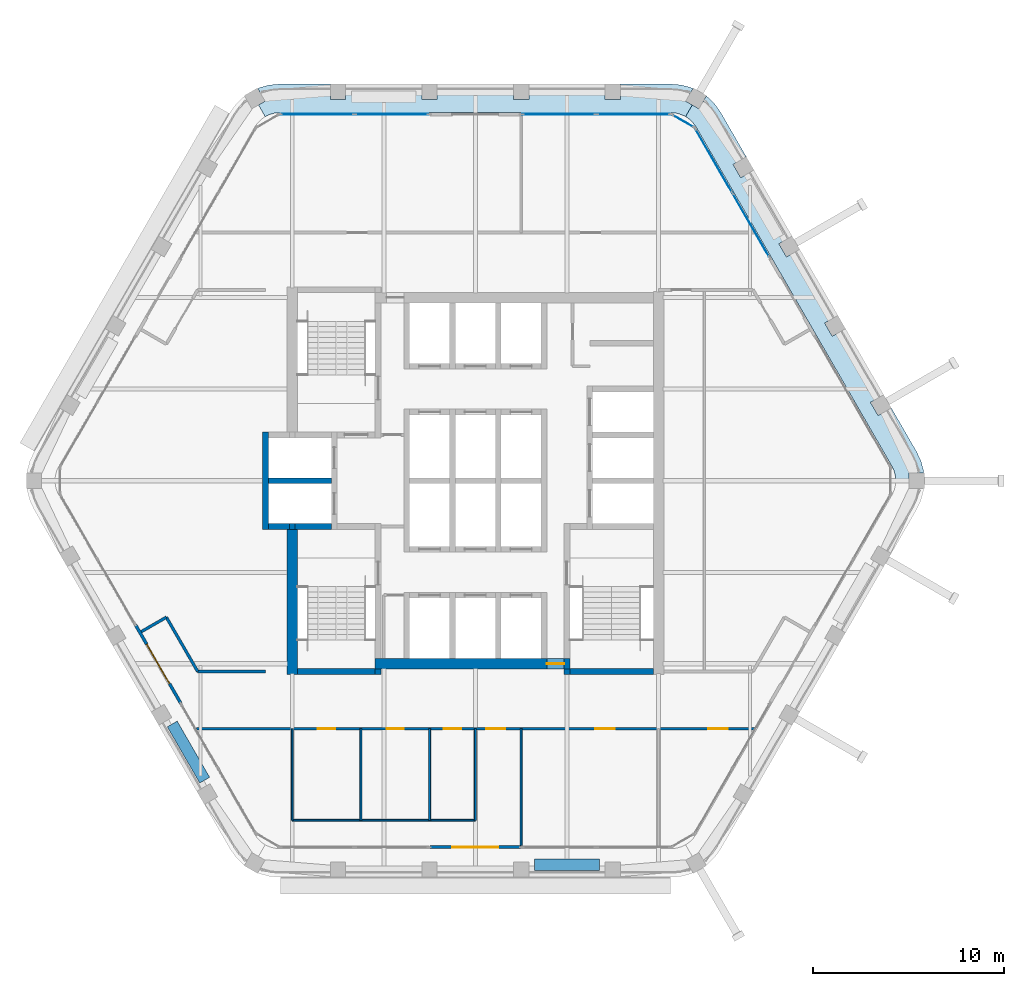
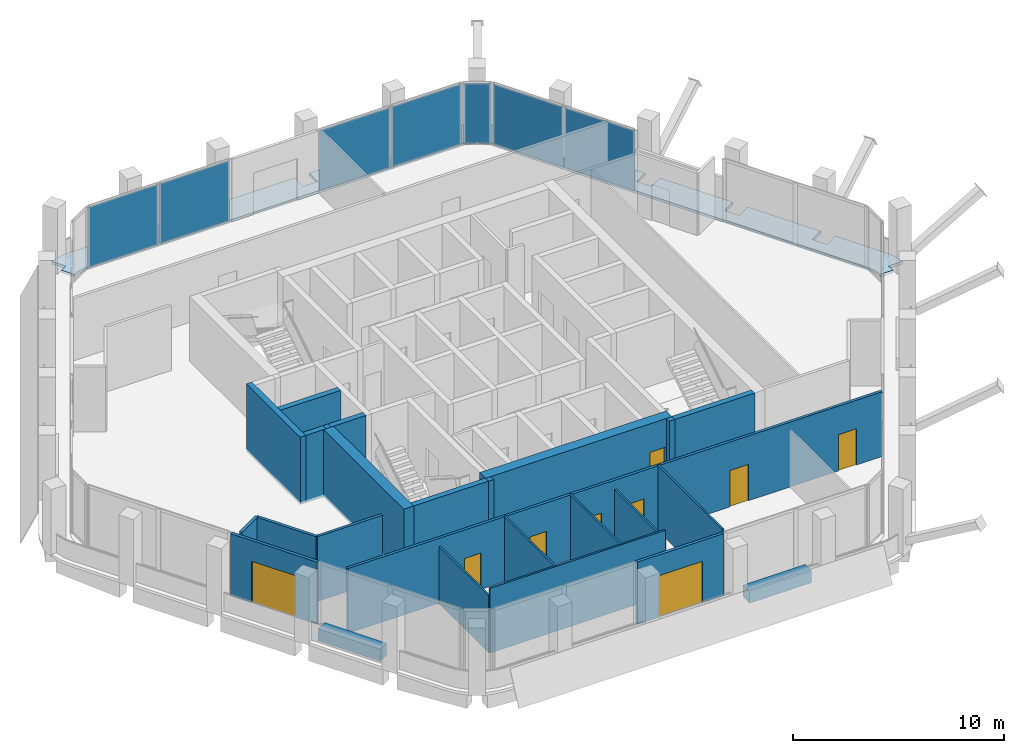
# One storey, part 7 of 14: 25 walls, 9 doors, 7 plates, 2 slabs, 9 openings, 4 elements without a shape of their own.
"""IFC4 building model written with IfcOpenShell, lengths in metres."""

import ifcopenshell
import ifcopenshell.guid

model = None  # the IFC model being written
_history = None  # IfcOwnerHistory: only IFC2X3 demands one
_inside = {}  # id of a spatial element -> (the spatial element, [elements in it])
_under = {}  # id of a project, library or spatial element -> (it, [spatial elements below it])
_declared = {}  # id of a project -> (the project, [libraries it declares])
_typed = {}  # id of a type object -> (the type object, [elements of that type])
_made_of = {}  # id of a material, layer set ... -> (it, [elements and type objects made of it])


def new_model(schema):
    """Start an empty IFC model of exactly this schema.

    Asked for "IFC4X3", IfcOpenShell would pick the latest addendum, in which some entities
    have other attributes; the version numbers below select the first issue.
    IFC2X3 requires an IfcOwnerHistory on every rooted entity: one is made here for all.
    """
    global model, _history
    if schema == "IFC4X3":
        model = ifcopenshell.file(schema_version=(4, 3, 0, 0))
    else:
        model = ifcopenshell.file(schema=schema)
    _inside.clear()
    _under.clear()
    _declared.clear()
    _typed.clear()
    _made_of.clear()
    _history = None
    if model.schema == "IFC2X3":
        org = make("IfcOrganization", Name="unknown")
        user = make(
            "IfcPersonAndOrganization",
            ThePerson=make("IfcPerson", FamilyName="unknown"),
            TheOrganization=org,
        )
        app = make(
            "IfcApplication",
            ApplicationDeveloper=org,
            Version="unknown",
            ApplicationFullName="unknown",
            ApplicationIdentifier="unknown",
        )
        _history = make(
            "IfcOwnerHistory",
            OwningUser=user,
            OwningApplication=app,
            ChangeAction="ADDED",
            CreationDate=0,
        )
    return model


def make(cls, **values):
    """One entity of the class cls with the attributes given. An attribute that is None is left unset."""
    return model.create_entity(
        cls, **{name: value for name, value in values.items() if value is not None}
    )


def rooted(cls, **values):
    """An entity with a GlobalId (a new one), such as an element, a storey or a relation."""
    return make(cls, GlobalId=ifcopenshell.guid.new(), OwnerHistory=_history, **values)


def si_unit(unit_type, name, prefix=None):
    """IfcSIUnit, for example si_unit("LENGTHUNIT", "METRE", prefix="MILLI")."""
    return make("IfcSIUnit", UnitType=unit_type, Prefix=prefix, Name=name)


def assignment(units):
    """IfcUnitAssignment: the units of a project."""
    return None if units is None else make("IfcUnitAssignment", Units=units)


def point(xyz):
    """IfcCartesianPoint."""
    return None if xyz is None else make("IfcCartesianPoint", Coordinates=xyz)


def direction(xyz):
    """IfcDirection."""
    return None if xyz is None else make("IfcDirection", DirectionRatios=xyz)


def frame(location, z_axis=None, x_axis=None):
    """IfcAxis2Placement3D, a coordinate frame: its origin and axes. An axis left out is left unset."""
    return make(
        "IfcAxis2Placement3D",
        Location=point(location),
        Axis=direction(z_axis),
        RefDirection=direction(x_axis),
    )


def frame_2d(location, x_axis=None):
    """IfcAxis2Placement2D, a coordinate frame in the plane: its origin and x axis."""
    return make(
        "IfcAxis2Placement2D", Location=point(location), RefDirection=direction(x_axis)
    )


def origin():
    """The frame at (0, 0, 0) with its axes left unset."""
    return frame((0.0, 0.0, 0.0))


def origin_2d():
    """The frame at (0, 0) in the plane with its x axis left unset."""
    return frame_2d((0.0, 0.0))


def place(relative_to, where):
    """IfcLocalPlacement: puts the frame where relative to a parent placement (None: the world)."""
    return make(
        "IfcLocalPlacement", PlacementRelTo=relative_to, RelativePlacement=where
    )


def context(
    kind, dimensions, precision=None, world=None, true_north=None, identifier=None
):
    """IfcGeometricRepresentationContext, for example the 3D "Model" context."""
    return make(
        "IfcGeometricRepresentationContext",
        ContextIdentifier=identifier,
        ContextType=kind,
        CoordinateSpaceDimension=dimensions,
        Precision=precision,
        WorldCoordinateSystem=world,
        TrueNorth=true_north,
    )


def subcontext(parent, identifier, kind, view, scale=None):
    """IfcGeometricRepresentationSubContext, for example "Body" below "Model"."""
    return make(
        "IfcGeometricRepresentationSubContext",
        ContextIdentifier=identifier,
        ContextType=kind,
        ParentContext=parent,
        TargetScale=scale,
        TargetView=view,
    )


def project(units=None, contexts=None):
    """IfcProject with its units and contexts."""
    return rooted(
        "IfcProject",
        Name="project",
        RepresentationContexts=contexts,
        UnitsInContext=assignment(units),
    )


def spatial(cls, under=None, at=None, **own):
    """A site, building, storey or space (cls), placed at a placement, below another one or the project."""
    s = rooted(cls, ObjectPlacement=at, **own)
    if under is not None:
        _under.setdefault(under.id(), (under, []))[1].append(s)
    return s


def polyline(points):
    """IfcPolyline through the points."""
    return make("IfcPolyline", Points=[point(p) for p in points])


def profile(cls, at=None, kind="AREA", **sizes):
    """A parametric profile (cls). Its sizes go by their IFC names, for example OverallWidth=200.0."""
    return make(cls, ProfileType=kind, Position=at, **sizes)


def rectangle(**sizes):
    """IfcRectangleProfileDef."""
    return profile("IfcRectangleProfileDef", **sizes)


def outline(outer, holes=None, kind="AREA"):
    """IfcArbitraryClosedProfileDef: a profile drawn as a closed curve; with holes, ...WithVoids."""
    if holes is None:
        return make("IfcArbitraryClosedProfileDef", ProfileType=kind, OuterCurve=outer)
    return make(
        "IfcArbitraryProfileDefWithVoids",
        ProfileType=kind,
        OuterCurve=outer,
        InnerCurves=holes,
    )


def extrude(swept, where, along, depth):
    """IfcExtrudedAreaSolid: the profile swept, set in the frame where, extruded along a direction by depth."""
    return make(
        "IfcExtrudedAreaSolid",
        SweptArea=swept,
        Position=where,
        ExtrudedDirection=direction(along),
        Depth=depth,
    )


def shape(context_of_items, identifier, shape_type, items):
    """IfcShapeRepresentation: the items that make up one representation, for example the "Body"."""
    return make(
        "IfcShapeRepresentation",
        ContextOfItems=context_of_items,
        RepresentationIdentifier=identifier,
        RepresentationType=shape_type,
        Items=items,
    )


def material(Name=None, Category=None):
    """IfcMaterial."""
    return make("IfcMaterial", Name=Name, Category=Category)


def layer(
    of_material, thickness, ventilated=None, Name=None, Category=None, Priority=None
):
    """IfcMaterialLayer: one layer of a wall or slab, of a material (None: an air gap)."""
    return make(
        "IfcMaterialLayer",
        Material=of_material,
        LayerThickness=thickness,
        IsVentilated=ventilated,
        Name=Name,
        Category=Category,
        Priority=Priority,
    )


def layer_set(layers, Name=None):
    """IfcMaterialLayerSet."""
    return make("IfcMaterialLayerSet", MaterialLayers=layers, LayerSetName=Name)


def made_of(thing, what):
    """Note that an element or type object is made of a material, layer set ...; save() writes the relation."""
    if what is not None:
        _made_of.setdefault(what.id(), (what, []))[1].append(thing)
    return thing


def type_object(cls, material=None, **own):
    """A type object (cls), such as IfcWallType, which elements share."""
    return made_of(rooted(cls, **own), material)


def element(
    cls,
    number,
    at=None,
    inside=None,
    cuts=None,
    type_object=None,
    material=None,
    context=None,
    identifier="Body",
    shape_type=None,
    held_by="IfcProductDefinitionShape",
    body=None,
    shapes=None,
    **own,
):
    """One element of the class cls, such as IfcWall. Its Tag is "e" and its number.

    at: its placement. inside: the storey or other place that contains it. cuts: it is an
    opening in that element (IfcRelVoidsElement). A single representation is given by context,
    identifier, shape_type and body (its items); several are given by shapes. held_by: the class
    of the entity that holds the representations. save() writes the other relations.
    """
    e = rooted(cls, Tag="e%d" % number, ObjectPlacement=at, **own)
    if body is not None:
        shapes = [shape(context, identifier, shape_type, body)]
    if shapes is not None:
        e.Representation = make(held_by, Representations=shapes)
    if inside is not None:
        _inside.setdefault(inside.id(), (inside, []))[1].append(e)
    if cuts is not None:
        rooted(
            "IfcRelVoidsElement", RelatingBuildingElement=cuts, RelatedOpeningElement=e
        )
    if type_object is not None:
        _typed.setdefault(type_object.id(), (type_object, []))[1].append(e)
    return made_of(e, material)


def fill(opening, filler):
    """IfcRelFillsElement: the door or window that sits in an opening."""
    return rooted(
        "IfcRelFillsElement",
        RelatingOpeningElement=opening,
        RelatedBuildingElement=filler,
    )


def aggregate(whole, parts):
    """IfcRelAggregates: a whole, such as a stair, and the parts it consists of."""
    return rooted("IfcRelAggregates", RelatingObject=whole, RelatedObjects=parts)


def save(model, path):
    """Write the relations noted so far, then the file.

    IfcRelAggregates (storeys below a building ...), IfcRelContainedInSpatialStructure (elements
    in a storey), IfcRelDefinesByType, IfcRelAssociatesMaterial and IfcRelDeclares: one each for
    every whole, place, type object, material and project.
    """
    for whole, parts in _under.values():
        aggregate(whole, parts)
    for where, things in _inside.values():
        rooted(
            "IfcRelContainedInSpatialStructure",
            RelatedElements=things,
            RelatingStructure=where,
        )
    for kind, things in _typed.values():
        rooted("IfcRelDefinesByType", RelatedObjects=things, RelatingType=kind)
    for what, things in _made_of.values():
        rooted("IfcRelAssociatesMaterial", RelatedObjects=things, RelatingMaterial=what)
    for by, libraries in _declared.values():
        rooted("IfcRelDeclares", RelatingContext=by, RelatedDefinitions=libraries)
    model.write(path)


model = new_model("IFC4")

# Units and contexts
model_context = context("Model", 3, precision=1e-05, world=origin(), true_north=direction((0.0, 1.0)))
body_context = subcontext(model_context, "Body", "Model", "MODEL_VIEW")
ifc_project = project(units=[si_unit("LENGTHUNIT", "METRE"), si_unit("AREAUNIT", "SQUARE_METRE"), si_unit("VOLUMEUNIT", "CUBIC_METRE"), si_unit("PLANEANGLEUNIT", "RADIAN"), si_unit("MASSUNIT", "GRAM", prefix="KILO")], contexts=[model_context])

# Site, building, storey
site_placement = place(None, origin())
site = spatial("IfcSite", under=ifc_project, at=site_placement, CompositionType="ELEMENT")
building_placement = place(site_placement, origin())
building = spatial("IfcBuilding", under=site, at=building_placement, Name="Kolab Exchange Tower", CompositionType="ELEMENT")
storey_placement = place(building_placement, frame((0.0, 0.0, 281.300048828125)))
storey = spatial("IfcBuildingStorey", under=building, at=storey_placement, Name="L63", CompositionType="ELEMENT", Elevation=281.300048828125)

# Slabs
ifc_material_1 = material(Name="Concrete C35/45", Category="concrete")
ifc_layer_1 = layer(ifc_material_1, 0.14990234375)
ifc_layer_set_1 = layer_set([ifc_layer_1], Name="Concrete C35/45")
slab_type = type_object("IfcSlabType", Name="LOGGIA SLAB 150", PredefinedType="FLOOR", material=ifc_layer_set_1)
slab_1_placement = place(storey_placement, frame((0.0, 0.0, -0.150146484375)))
element("IfcSlab", 1, at=slab_1_placement, inside=storey, type_object=slab_type, Name="slab/L63/loggia/0-0", PredefinedType="FLOOR", context=body_context, shape_type="SweptSolid", body=[
    extrude(outline(polyline([(11.01806640625, 19.083740234375), (11.367919921875, 19.68994140625), (11.021484375, 19.889892578125), (11.404052734375, 20.552490234375), (11.2939453125, 20.603759765625), (10.788818359375, 20.739013671875), (10.26806640625, 20.78466796875), (7.60009765625, 20.78466796875), (7.60009765625, 19.984619140625), (6.800048828125, 19.984619140625), (6.800048828125, 20.78466796875), (2.800048828125, 20.78466796875), (2.800048828125, 19.984619140625), (2.0, 19.984619140625), (2.0, 20.78466796875), (-2.0, 20.78466796875), (-2.0, 19.984619140625), (-2.800048828125, 19.984619140625), (-2.800048828125, 20.78466796875), (-6.800048828125, 20.78466796875), (-6.800048828125, 19.984619140625), (-7.60009765625, 19.984619140625), (-7.60009765625, 20.78466796875), (-10.26806640625, 20.78466796875), (-10.788818359375, 20.739013671875), (-11.2939453125, 20.603759765625), (-11.404052734375, 20.552490234375), (-11.021484375, 19.889892578125), (-11.367919921875, 19.68994140625), (-11.01806640625, 19.083740234375), (-10.781005859375, 19.194091796875), (-10.5283203125, 19.26171875), (-10.26806640625, 19.28466796875), (10.26806640625, 19.28466796875), (10.5283203125, 19.26171875), (10.781005859375, 19.194091796875), (11.01806640625, 19.083740234375)])), origin(), (0.0, 0.0, 1.0), 0.150146484375),
])
slab_2_placement = place(storey_placement, frame((0.0, 0.0, -0.150146484375)))
element("IfcSlab", 2, at=slab_2_placement, inside=storey, type_object=slab_type, Name="slab/L63/loggia/1-0", PredefinedType="FLOOR", context=body_context, shape_type="SweptSolid", body=[
    extrude(outline(polyline([(22.035888671875, 0.0), (22.73583984375, 0.0), (22.73583984375, 0.39990234375), (23.5009765625, 0.39990234375), (23.490234375, 0.52099609375), (23.35498046875, 1.026123046875), (23.134033203125, 1.5), (21.800048828125, 3.810546875), (21.107177734375, 3.410400390625), (20.707275390625, 4.103271484375), (21.39990234375, 4.50341796875), (19.39990234375, 7.967529296875), (18.707275390625, 7.5673828125), (18.30712890625, 8.26025390625), (19.0, 8.66015625), (17.0, 12.124267578125), (16.30712890625, 11.724365234375), (15.9072265625, 12.417236328125), (16.60009765625, 12.817138671875), (14.60009765625, 16.28125), (13.9072265625, 15.88134765625), (13.507080078125, 16.57421875), (14.199951171875, 16.97412109375), (12.865966796875, 19.28466796875), (12.566162109375, 19.712890625), (12.1962890625, 20.082763671875), (12.096923828125, 20.15234375), (11.71435546875, 19.48974609375), (11.367919921875, 19.68994140625), (11.01806640625, 19.083740234375), (11.232177734375, 18.93359375), (11.4169921875, 18.748779296875), (11.56689453125, 18.53466796875), (21.8349609375, 0.75), (21.945556640625, 0.512939453125), (22.01318359375, 0.260498046875), (22.035888671875, 0.0)])), origin(), (0.0, 0.0, 1.0), 0.150146484375),
])

# Curtain wall, plates
ifc_material_2 = material(Name="Aluminium EN AW-6063 T6", Category="aluminium")
curtain_wall_type = type_object("IfcCurtainWallType", Name="UNITISED HIGH ZONE CURTAIN WALL", PredefinedType="NOTDEFINED", material=ifc_material_2)
curtain_wall_1_placement = place(storey_placement, origin())
curtain_wall_1 = element("IfcCurtainWall", 3, at=curtain_wall_1_placement, inside=storey, type_object=curtain_wall_type, Name="cw/L63/F1-1", PredefinedType="NOTDEFINED")
ifc_material_3 = material(Name="Clear insulated glazing unit", Category="glass")
ifc_layer_2 = layer(ifc_material_3, 0.030029296875)
ifc_layer_set_2 = layer_set([ifc_layer_2], Name="Clear insulated glazing unit")
plate_type = type_object("IfcPlateType", Name="UNITISED HIGH ZONE GLASS PANEL 30", PredefinedType="CURTAIN_PANEL", material=ifc_layer_set_2)
plate_1_placement = place(storey_placement, frame((-8.285888671875, 19.20458984375, 0.06005859375), z_axis=(0.0, 0.0, 1.0), x_axis=(1.0, 0.0, 0.0)))
plate_1 = element("IfcPlate", 4, at=plate_1_placement, type_object=plate_type, Name="CW4 panel 1.1", PredefinedType="CURTAIN_PANEL", context=body_context, shape_type="SweptSolid", body=[
    extrude(rectangle(XDim=3.843994140625, YDim=0.030029296875, at=origin_2d()), origin(), (0.0, 0.0, 1.0), 3.47998046875),
])
plate_2_placement = place(storey_placement, frame((-4.382080078125, 19.20458984375, 0.06005859375), z_axis=(0.0, 0.0, 1.0), x_axis=(1.0, 0.0, 0.0)))
plate_2 = element("IfcPlate", 5, at=plate_2_placement, type_object=plate_type, Name="CW4 panel 2.1", PredefinedType="CURTAIN_PANEL", context=body_context, shape_type="SweptSolid", body=[
    extrude(rectangle(XDim=3.843994140625, YDim=0.030029296875, at=origin_2d()), origin(), (0.0, 0.0, 1.0), 3.47998046875),
])
aggregate(curtain_wall_1, [plate_1, plate_2])

curtain_wall_2_placement = place(storey_placement, origin())
curtain_wall_2 = element("IfcCurtainWall", 6, at=curtain_wall_2_placement, inside=storey, type_object=curtain_wall_type, Name="cw/L63/F1-2", PredefinedType="NOTDEFINED")
plate_3_placement = place(storey_placement, frame((4.382080078125, 19.20458984375, 0.06005859375), z_axis=(0.0, 0.0, 1.0), x_axis=(1.0, 0.0, 0.0)))
plate_3 = element("IfcPlate", 7, at=plate_3_placement, type_object=plate_type, Name="CW4 panel 1.1", PredefinedType="CURTAIN_PANEL", context=body_context, shape_type="SweptSolid", body=[
    extrude(rectangle(XDim=3.843994140625, YDim=0.030029296875, at=origin_2d()), origin(), (0.0, 0.0, 1.0), 3.47998046875),
])
plate_4_placement = place(storey_placement, frame((8.285888671875, 19.20458984375, 0.06005859375), z_axis=(0.0, 0.0, 1.0), x_axis=(1.0, 0.0, 0.0)))
plate_4 = element("IfcPlate", 8, at=plate_4_placement, type_object=plate_type, Name="CW4 panel 2.1", PredefinedType="CURTAIN_PANEL", context=body_context, shape_type="SweptSolid", body=[
    extrude(rectangle(XDim=3.843994140625, YDim=0.030029296875, at=origin_2d()), origin(), (0.0, 0.0, 1.0), 3.47998046875),
])
aggregate(curtain_wall_2, [plate_3, plate_4])

curtain_wall_3_placement = place(storey_placement, origin())
curtain_wall_3 = element("IfcCurtainWall", 9, at=curtain_wall_3_placement, inside=storey, type_object=curtain_wall_type, Name="cw/L63/F2-1", PredefinedType="NOTDEFINED")
plate_5_placement = place(storey_placement, frame((12.48876953125, 16.778076171875, 0.06005859375), z_axis=(0.0, 0.0, 1.0), x_axis=(0.500000031681, -0.866025385493, 0.0)))
plate_5 = element("IfcPlate", 10, at=plate_5_placement, type_object=plate_type, Name="CW4 panel 1.1", PredefinedType="CURTAIN_PANEL", context=body_context, shape_type="SweptSolid", body=[
    extrude(rectangle(XDim=3.843994140625, YDim=0.030029296875, at=origin_2d()), origin(), (0.0, 0.0, 1.0), 3.47998046875),
])
plate_6_placement = place(storey_placement, frame((14.440673828125, 13.397216796875, 0.06005859375), z_axis=(0.0, 0.0, 1.0), x_axis=(0.500000031681, -0.866025385493, 0.0)))
plate_6 = element("IfcPlate", 11, at=plate_6_placement, type_object=plate_type, Name="CW4 panel 2.1", PredefinedType="CURTAIN_PANEL", context=body_context, shape_type="SweptSolid", body=[
    extrude(rectangle(XDim=3.843994140625, YDim=0.030029296875, at=origin_2d()), origin(), (0.0, 0.0, 1.0), 3.47998046875),
])
aggregate(curtain_wall_3, [plate_5, plate_6])

# Curtain wall, plate
curtain_wall_4_placement = place(storey_placement, origin())
curtain_wall_4 = element("IfcCurtainWall", 12, at=curtain_wall_4_placement, inside=storey, type_object=curtain_wall_type, Name="cw/L63/F1F2-corner", PredefinedType="NOTDEFINED")
plate_7_placement = place(storey_placement, frame((10.8828125, 18.849609375, 0.06005859375), z_axis=(0.0, 0.0, 1.0), x_axis=(0.866025390869, -0.50000002237, 0.0)))
plate_7 = element("IfcPlate", 13, at=plate_7_placement, type_object=plate_type, Name="CW4 panel 1.1", PredefinedType="CURTAIN_PANEL", context=body_context, shape_type="SweptSolid", body=[
    extrude(rectangle(XDim=1.300048828125, YDim=0.030029296875, at=origin_2d()), origin(), (0.0, 0.0, 1.0), 3.47998046875),
])
aggregate(curtain_wall_4, [plate_7])

# Wall, opening, door
ifc_material_4 = material(Name="Concrete C50/60", Category="concrete")
ifc_layer_3 = layer(ifc_material_4, 0.550048828125)
ifc_layer_set_3 = layer_set([ifc_layer_3], Name="Concrete C50/60")
wall_type_1 = type_object("IfcWallType", Name="CORE WALL 550 C50/60", PredefinedType="SHEAR", material=ifc_layer_set_3)
wall_1_placement = place(storey_placement, frame((-5.25, -9.60009765625, -0.150146484375), z_axis=(0.0, 0.0, 1.0), x_axis=(1.0, 0.0, 0.0)))
wall_1 = element("IfcWall", 14, at=wall_1_placement, inside=storey, type_object=wall_type_1, Name="wall/L63/core/002", PredefinedType="SHEAR", context=body_context, shape_type="SweptSolid", body=[
    extrude(rectangle(XDim=10.199951171875, YDim=0.550048828125, at=frame_2d((5.10009765625, 0.0))), origin(), (0.0, 0.0, 1.0), 3.900146484375),
])
opening_1_placement = place(wall_1_placement, frame((9.0, 0.0, 0.14990234375)))
opening_1 = element("IfcOpeningElement", 15, at=opening_1_placement, cuts=wall_1, Name="Opening D6-296", PredefinedType="OPENING", context=body_context, shape_type="SweptSolid", body=[
    extrude(rectangle(XDim=0.89990234375, YDim=2.10009765625, at=frame_2d((0.449951171875, 1.050048828125))), frame((0.0, 0.28515625, 0.0), z_axis=(0.0, -1.0, 0.0), x_axis=(1.0, 0.0, 0.0)), (0.0, 0.0, 1.0), 0.570068359375),
])
ifc_material_5 = material(Name="Steel S235", Category="steel")
door_type_1 = type_object("IfcDoorType", Name="CORE DOOR 900 EI 120", OperationType="SINGLE_SWING_LEFT", PredefinedType="DOOR", material=ifc_material_5)
door_1_placement = place(opening_1_placement, origin())
door_1 = element("IfcDoor", 16, at=door_1_placement, inside=storey, type_object=door_type_1, Name="Core lobby door", OperationType="SINGLE_SWING_LEFT", OverallHeight=2.10009765625, OverallWidth=0.89990234375, PredefinedType="DOOR", context=body_context, shape_type="SweptSolid", body=[
    extrude(rectangle(XDim=0.89990234375, YDim=2.10009765625, at=frame_2d((0.449951171875, 1.050048828125))), frame((0.0, 0.02490234375, 0.0), z_axis=(0.0, -1.0, 0.0), x_axis=(1.0, 0.0, 0.0)), (0.0, 0.0, 1.0), 0.050048828125),
])
fill(opening_1, door_1)

# Wall
wall_2_placement = place(storey_placement, frame((-9.60009765625, -10.14990234375, -0.150146484375), z_axis=(0.0, 0.0, 1.0), x_axis=(0.0, 1.0, 0.0)))
element("IfcWall", 17, at=wall_2_placement, inside=storey, type_object=wall_type_1, Name="wall/L63/core/034", PredefinedType="SHEAR", context=body_context, shape_type="SweptSolid", body=[
    extrude(rectangle(XDim=7.599853515625, YDim=0.550048828125, at=frame_2d((3.7998046875, 0.0))), origin(), (0.0, 0.0, 1.0), 3.900146484375),
])

# Wall, opening, door
ifc_layer_4 = layer(ifc_material_2, 0.159912109375)
ifc_layer_set_4 = layer_set([ifc_layer_4], Name="Aluminium EN AW-6063 T6")
wall_type_2 = type_object("IfcWallType", Name="DOOR SURROUND WALL 160 ALUMINIUM FRAMED", PredefinedType="PARTITIONING", material=ifc_layer_set_4)
wall_3_placement = place(storey_placement, frame((2.3701171875, -19.20458984375, 0.0), z_axis=(0.0, 0.0, 1.0), x_axis=(-1.0, 0.0, 0.0)))
wall_3 = element("IfcWall", 18, at=wall_3_placement, inside=storey, type_object=wall_type_2, Name="Door surround wall", PredefinedType="PARTITIONING", context=body_context, shape_type="SweptSolid", body=[
    extrude(rectangle(XDim=4.740234375, YDim=0.159912109375, at=frame_2d((2.3701171875, 0.0))), origin(), (0.0, 0.0, 1.0), 3.599853515625),
])
opening_2_placement = place(wall_3_placement, frame((1.169921875, 0.0, 0.0)))
opening_2 = element("IfcOpeningElement", 19, at=opening_2_placement, cuts=wall_3, Name="Opening GD1-101", PredefinedType="OPENING", context=body_context, shape_type="SweptSolid", body=[
    extrude(rectangle(XDim=2.39990234375, YDim=2.39990234375, at=frame_2d((1.199951171875, 1.199951171875))), frame((0.0, 0.08984375, 0.0), z_axis=(0.0, -1.0, 0.0), x_axis=(1.0, 0.0, 0.0)), (0.0, 0.0, 1.0), 0.179931640625),
])
door_type_2 = type_object("IfcDoorType", Name="LOGGIA SLIDING GLASS DOOR 2400 X 2400", OperationType="DOUBLE_DOOR_SINGLE_SWING", PredefinedType="DOOR", material=ifc_material_2)
door_2_placement = place(opening_2_placement, origin())
door_2 = element("IfcDoor", 20, at=door_2_placement, inside=storey, type_object=door_type_2, Name="Loggia door", OperationType="DOUBLE_DOOR_SLIDING", OverallHeight=2.39990234375, OverallWidth=2.39990234375, PredefinedType="DOOR", context=body_context, shape_type="SweptSolid", body=[
    extrude(rectangle(XDim=2.39990234375, YDim=2.39990234375, at=frame_2d((1.199951171875, 1.199951171875))), frame((0.0, 0.02490234375, 0.0), z_axis=(0.0, -1.0, 0.0), x_axis=(1.0, 0.0, 0.0)), (0.0, 0.0, 1.0), 0.050048828125),
])
fill(opening_2, door_2)

wall_4_placement = place(storey_placement, frame((-15.44677734375, -11.65478515625, 0.0), z_axis=(0.0, 0.0, 1.0), x_axis=(-0.499978080042, 0.866038058908, 0.0)))
wall_4 = element("IfcWall", 21, at=wall_4_placement, inside=storey, type_object=wall_type_2, Name="Door surround wall", PredefinedType="PARTITIONING", context=body_context, shape_type="SweptSolid", body=[
    extrude(rectangle(XDim=4.739990234375, YDim=0.159912109375, at=frame_2d((2.3701171875, 0.0))), origin(), (0.0, 0.0, 1.0), 3.599853515625),
])
opening_3_placement = place(wall_4_placement, frame((1.169921875, 0.0, 0.0)))
opening_3 = element("IfcOpeningElement", 22, at=opening_3_placement, cuts=wall_4, Name="Opening GD1-105", PredefinedType="OPENING", context=body_context, shape_type="SweptSolid", body=[
    extrude(rectangle(XDim=2.39990234375, YDim=2.39990234375, at=frame_2d((1.199951171875, 1.199951171875))), frame((0.0, 0.08984375, 0.0), z_axis=(0.0, -1.0, 0.0), x_axis=(1.0, 0.0, 0.0)), (0.0, 0.0, 1.0), 0.179931640625),
])
door_3_placement = place(opening_3_placement, origin())
door_3 = element("IfcDoor", 23, at=door_3_placement, inside=storey, type_object=door_type_2, Name="Loggia door", OperationType="DOUBLE_DOOR_SLIDING", OverallHeight=2.39990234375, OverallWidth=2.39990234375, PredefinedType="DOOR", context=body_context, shape_type="SweptSolid", body=[
    extrude(rectangle(XDim=2.39990234375, YDim=2.39990234375, at=frame_2d((1.199951171875, 1.199951171875))), frame((0.0, 0.02490234375, 0.0), z_axis=(0.0, -1.0, 0.0), x_axis=(1.0, 0.0, 0.0)), (0.0, 0.0, 1.0), 0.050048828125),
])
fill(opening_3, door_3)

# Walls
ifc_layer_5 = layer(ifc_material_4, 0.300048828125)
ifc_layer_set_5 = layer_set([ifc_layer_5], Name="Concrete C50/60")
wall_type_3 = type_object("IfcWallType", Name="LIFT SHAFT WALL 300 C50/60", PredefinedType="STANDARD", material=ifc_layer_set_5)
wall_5_placement = place(storey_placement, frame((-10.85009765625, -2.39990234375, -0.150146484375), z_axis=(0.0, 0.0, 1.0), x_axis=(1.0, 0.0, 0.0)))
element("IfcWall", 24, at=wall_5_placement, inside=storey, type_object=wall_type_3, Name="wall/L63/core/009", PredefinedType="STANDARD", context=body_context, shape_type="SweptSolid", body=[
    extrude(rectangle(XDim=1.10009765625, YDim=0.300048828125, at=frame_2d((0.550048828125, 0.0))), origin(), (0.0, 0.0, 1.0), 3.900146484375),
])
wall_6_placement = place(storey_placement, frame((-10.85009765625, 0.0, -0.150146484375), z_axis=(0.0, 0.0, 1.0), x_axis=(1.0, 0.0, 0.0)))
element("IfcWall", 25, at=wall_6_placement, inside=storey, type_object=wall_type_3, Name="wall/L63/core/014", PredefinedType="STANDARD", context=body_context, shape_type="SweptSolid", body=[
    extrude(rectangle(XDim=3.300048828125, YDim=0.300048828125, at=frame_2d((1.64990234375, 0.0))), origin(), (0.0, 0.0, 1.0), 3.900146484375),
])
wall_7_placement = place(storey_placement, frame((-11.0, -2.550048828125, -0.150146484375), z_axis=(0.0, 0.0, 1.0), x_axis=(0.0, 1.0, 0.0)))
element("IfcWall", 26, at=wall_7_placement, inside=storey, type_object=wall_type_3, Name="wall/L63/core/033", PredefinedType="STANDARD", context=body_context, shape_type="SweptSolid", body=[
    extrude(rectangle(XDim=5.10009765625, YDim=0.300048828125, at=frame_2d((2.550048828125, 0.0))), origin(), (0.0, 0.0, 1.0), 3.900146484375),
])
ifc_material_6 = material(Name="Gypsum board", Category="gypsum")
ifc_layer_6 = layer(ifc_material_6, 0.10009765625)
ifc_layer_set_6 = layer_set([ifc_layer_6], Name="Gypsum board")
wall_type_4 = type_object("IfcWallType", Name="PARTITION 100", PredefinedType="PARTITIONING", material=ifc_layer_set_6)
wall_8_placement = place(storey_placement, frame((2.39990234375, -19.12451171875, 0.0), z_axis=(0.0, 0.0, 1.0), x_axis=(0.0, 1.0, 0.0)))
element("IfcWall", 27, at=wall_8_placement, inside=storey, type_object=wall_type_4, Name="Partition 003", PredefinedType="PARTITIONING", context=body_context, shape_type="SweptSolid", body=[
    extrude(rectangle(XDim=6.12451171875, YDim=0.10009765625, at=frame_2d((3.062255859375, 0.0))), origin(), (0.0, 0.0, 1.0), 3.75),
])
wall_9_placement = place(storey_placement, frame((0.0, -17.800048828125, 0.0), z_axis=(0.0, 0.0, 1.0), x_axis=(0.0, 1.0, 0.0)))
element("IfcWall", 28, at=wall_9_placement, inside=storey, type_object=wall_type_4, Name="Partition 005", PredefinedType="PARTITIONING", context=body_context, shape_type="SweptSolid", body=[
    extrude(rectangle(XDim=4.800048828125, YDim=0.10009765625, at=frame_2d((2.39990234375, 0.0))), origin(), (0.0, 0.0, 1.0), 3.217041015625),
])
for number, where, z_axis, x_axis, name in (
    (29, (-2.39990234375, -17.800048828125, 0.0), (0.0, 0.0, 1.0), (0.0, 1.0, 0.0), "Partition 006"),
    (30, (-6.0, -17.800048828125, 0.0), (0.0, 0.0, 1.0), (0.0, 1.0, 0.0), "Partition 008"),
):
    element("IfcWall", number, at=place(storey_placement, frame(where, z_axis=z_axis, x_axis=x_axis)), inside=storey, type_object=wall_type_4, Name=name, PredefinedType="PARTITIONING", context=body_context, shape_type="SweptSolid", body=[
        extrude(rectangle(XDim=4.800048828125, YDim=0.10009765625, at=frame_2d((2.39990234375, 0.0))), origin(), (0.0, 0.0, 1.0), 3.75),
    ])
wall_10_placement = place(storey_placement, frame((-9.60009765625, -17.800048828125, 0.0), z_axis=(0.0, 0.0, 1.0), x_axis=(0.0, 1.0, 0.0)))
element("IfcWall", 31, at=wall_10_placement, inside=storey, type_object=wall_type_4, Name="Partition 009", PredefinedType="PARTITIONING", context=body_context, shape_type="SweptSolid", body=[
    extrude(rectangle(XDim=4.800048828125, YDim=0.10009765625, at=frame_2d((2.39990234375, 0.0))), origin(), (0.0, 0.0, 1.0), 3.29296875),
])
wall_11_placement = place(storey_placement, frame((-9.60009765625, -17.800048828125, 0.0), z_axis=(0.0, 0.0, 1.0), x_axis=(1.0, 0.0, 0.0)))
element("IfcWall", 32, at=wall_11_placement, inside=storey, type_object=wall_type_4, Name="Partition 018", PredefinedType="PARTITIONING", context=body_context, shape_type="SweptSolid", body=[
    extrude(rectangle(XDim=9.60009765625, YDim=0.10009765625, at=frame_2d((4.800048828125, 0.0))), origin(), (0.0, 0.0, 1.0), 3.75),
])
ifc_layer_7 = layer(ifc_material_6, 0.14990234375)
ifc_layer_set_7 = layer_set([ifc_layer_7], Name="Gypsum board")
wall_type_5 = type_object("IfcWallType", Name="PARTITION 150 FIRE-RATED", PredefinedType="PARTITIONING", material=ifc_layer_set_7)
wall_12_placement = place(storey_placement, frame((-16.196044921875, -7.15673828125, 0.0), z_axis=(0.0, 0.0, 1.0), x_axis=(0.499954196102, -0.866051847062, 0.0)))
element("IfcWall", 33, at=wall_12_placement, inside=storey, type_object=wall_type_5, Name="Partition 010", PredefinedType="PARTITIONING", context=body_context, shape_type="SweptSolid", body=[
    extrude(rectangle(XDim=3.282958984375, YDim=0.14990234375, at=frame_2d((1.6416015625, 0.0))), origin(), (0.0, 0.0, 1.0), 3.75),
])
wall_13_placement = place(storey_placement, frame((-17.512451171875, -7.9169921875, 0.0), z_axis=(0.0, 0.0, 1.0), x_axis=(0.865960906633, 0.500111695708, 0.0)))
element("IfcWall", 34, at=wall_13_placement, inside=storey, type_object=wall_type_5, Name="Partition 017", PredefinedType="PARTITIONING", context=body_context, shape_type="SweptSolid", body=[
    extrude(rectangle(XDim=1.520263671875, YDim=0.14990234375, at=frame_2d((0.76025390625, 0.0))), origin(), (0.0, 0.0, 1.0), 3.75),
])

# Wall, openings, doors
wall_14_placement = place(storey_placement, frame((-14.623779296875, -13.0, 0.0), z_axis=(0.0, 0.0, 1.0), x_axis=(1.0, 0.0, 0.0)))
wall_14 = element("IfcWall", 35, at=wall_14_placement, inside=storey, type_object=wall_type_5, Name="Partition 019", PredefinedType="PARTITIONING", context=body_context, shape_type="SweptSolid", body=[
    extrude(rectangle(XDim=29.24755859375, YDim=0.14990234375, at=frame_2d((14.623779296875, 0.0))), origin(), (0.0, 0.0, 1.0), 3.75),
])
opening_4_placement = place(wall_14_placement, frame((6.373779296875, 0.0, 0.0)))
opening_4 = element("IfcOpeningElement", 36, at=opening_4_placement, cuts=wall_14, Name="Opening D3-088", PredefinedType="OPENING", context=body_context, shape_type="SweptSolid", body=[
    extrude(rectangle(XDim=0.89990234375, YDim=2.10009765625, at=frame_2d((0.449951171875, 1.050048828125))), frame((0.0, 0.0849609375, 0.0), z_axis=(0.0, -1.0, 0.0), x_axis=(1.0, 0.0, 0.0)), (0.0, 0.0, 1.0), 0.169921875),
])
opening_5_placement = place(wall_14_placement, frame((9.973876953125, 0.0, 0.0)))
opening_5 = element("IfcOpeningElement", 37, at=opening_5_placement, cuts=wall_14, Name="Opening D3-089", PredefinedType="OPENING", context=body_context, shape_type="SweptSolid", body=[
    extrude(rectangle(XDim=0.89990234375, YDim=2.10009765625, at=frame_2d((0.449951171875, 1.050048828125))), frame((0.0, 0.0849609375, 0.0), z_axis=(0.0, -1.0, 0.0), x_axis=(1.0, 0.0, 0.0)), (0.0, 0.0, 1.0), 0.169921875),
])
opening_6_placement = place(wall_14_placement, frame((12.973876953125, 0.0, 0.0)))
opening_6 = element("IfcOpeningElement", 38, at=opening_6_placement, cuts=wall_14, Name="Opening D3-090", PredefinedType="OPENING", context=body_context, shape_type="SweptSolid", body=[
    extrude(rectangle(XDim=0.89990234375, YDim=2.10009765625, at=frame_2d((0.449951171875, 1.050048828125))), frame((0.0, 0.0849609375, 0.0), z_axis=(0.0, -1.0, 0.0), x_axis=(1.0, 0.0, 0.0)), (0.0, 0.0, 1.0), 0.169921875),
])
opening_7_placement = place(wall_14_placement, frame((15.19873046875, 0.0, 0.0)))
opening_7 = element("IfcOpeningElement", 39, at=opening_7_placement, cuts=wall_14, Name="Opening D1-734", PredefinedType="OPENING", context=body_context, shape_type="SweptSolid", body=[
    extrude(rectangle(XDim=1.0, YDim=2.10009765625, at=frame_2d((0.5, 1.050048828125))), frame((0.0, 0.0849609375, 0.0), z_axis=(0.0, -1.0, 0.0), x_axis=(1.0, 0.0, 0.0)), (0.0, 0.0, 1.0), 0.169921875),
])
opening_8_placement = place(wall_14_placement, frame((20.918701171875, 0.0, 0.0)))
opening_8 = element("IfcOpeningElement", 40, at=opening_8_placement, cuts=wall_14, Name="Opening D1-735", PredefinedType="OPENING", context=body_context, shape_type="SweptSolid", body=[
    extrude(rectangle(XDim=1.0, YDim=2.10009765625, at=frame_2d((0.5, 1.050048828125))), frame((0.0, 0.0849609375, 0.0), z_axis=(0.0, -1.0, 0.0), x_axis=(1.0, 0.0, 0.0)), (0.0, 0.0, 1.0), 0.169921875),
])
opening_9_placement = place(wall_14_placement, frame((26.83935546875, 0.0, 0.0)))
opening_9 = element("IfcOpeningElement", 41, at=opening_9_placement, cuts=wall_14, Name="Opening D1-736", PredefinedType="OPENING", context=body_context, shape_type="SweptSolid", body=[
    extrude(rectangle(XDim=1.0, YDim=2.10009765625, at=frame_2d((0.5, 1.050048828125))), frame((0.0, 0.0849609375, 0.0), z_axis=(0.0, -1.0, 0.0), x_axis=(1.0, 0.0, 0.0)), (0.0, 0.0, 1.0), 0.169921875),
])
door_type_3 = type_object("IfcDoorType", Name="FLUSH DOOR 1000 FD60", OperationType="SINGLE_SWING_LEFT", PredefinedType="DOOR", material=ifc_material_5)
door_4_placement = place(opening_7_placement, frame((1.0, 0.0, 0.0), z_axis=(0.0, 0.0, 1.0), x_axis=(-1.0, 0.0, 0.0)))
door_4 = element("IfcDoor", 42, at=door_4_placement, inside=storey, type_object=door_type_3, Name="Door L63-034", OperationType="SINGLE_SWING_LEFT", OverallHeight=2.10009765625, OverallWidth=1.0, PredefinedType="DOOR", context=body_context, shape_type="SweptSolid", body=[
    extrude(rectangle(XDim=1.0, YDim=2.10009765625, at=frame_2d((0.5, 1.050048828125))), frame((0.0, 0.02490234375, 0.0), z_axis=(0.0, -1.0, 0.0), x_axis=(1.0, 0.0, 0.0)), (0.0, 0.0, 1.0), 0.050048828125),
])
fill(opening_7, door_4)
door_5_placement = place(opening_8_placement, frame((1.0, 0.0, 0.0), z_axis=(0.0, 0.0, 1.0), x_axis=(-1.0, 0.0, 0.0)))
door_5 = element("IfcDoor", 43, at=door_5_placement, inside=storey, type_object=door_type_3, Name="Door L63-035", OperationType="SINGLE_SWING_RIGHT", OverallHeight=2.10009765625, OverallWidth=1.0, PredefinedType="DOOR", context=body_context, shape_type="SweptSolid", body=[
    extrude(rectangle(XDim=1.0, YDim=2.10009765625, at=frame_2d((0.5, 1.050048828125))), frame((0.0, 0.02490234375, 0.0), z_axis=(0.0, -1.0, 0.0), x_axis=(1.0, 0.0, 0.0)), (0.0, 0.0, 1.0), 0.050048828125),
])
fill(opening_8, door_5)
door_6_placement = place(opening_9_placement, frame((1.0, 0.0, 0.0), z_axis=(0.0, 0.0, 1.0), x_axis=(-1.0, 0.0, 0.0)))
door_6 = element("IfcDoor", 44, at=door_6_placement, inside=storey, type_object=door_type_3, Name="Door L63-036", OperationType="SINGLE_SWING_RIGHT", OverallHeight=2.10009765625, OverallWidth=1.0, PredefinedType="DOOR", context=body_context, shape_type="SweptSolid", body=[
    extrude(rectangle(XDim=1.0, YDim=2.10009765625, at=frame_2d((0.5, 1.050048828125))), frame((0.0, 0.02490234375, 0.0), z_axis=(0.0, -1.0, 0.0), x_axis=(1.0, 0.0, 0.0)), (0.0, 0.0, 1.0), 0.050048828125),
])
fill(opening_9, door_6)
door_type_4 = type_object("IfcDoorType", Name="FLUSH DOOR 900 FD60", OperationType="SINGLE_SWING_LEFT", PredefinedType="DOOR", material=ifc_material_5)
door_7_placement = place(opening_4_placement, frame((0.89990234375, 0.0, 0.0), z_axis=(0.0, 0.0, 1.0), x_axis=(-1.0, 0.0, 0.0)))
door_7 = element("IfcDoor", 45, at=door_7_placement, inside=storey, type_object=door_type_4, Name="Door L63-031", OperationType="SINGLE_SWING_RIGHT", OverallHeight=2.10009765625, OverallWidth=0.89990234375, PredefinedType="DOOR", context=body_context, shape_type="SweptSolid", body=[
    extrude(rectangle(XDim=0.89990234375, YDim=2.10009765625, at=frame_2d((0.449951171875, 1.050048828125))), frame((0.0, 0.02490234375, 0.0), z_axis=(0.0, -1.0, 0.0), x_axis=(1.0, 0.0, 0.0)), (0.0, 0.0, 1.0), 0.050048828125),
])
fill(opening_4, door_7)
door_8_placement = place(opening_5_placement, frame((0.89990234375, 0.0, 0.0), z_axis=(0.0, 0.0, 1.0), x_axis=(-1.0, 0.0, 0.0)))
door_8 = element("IfcDoor", 46, at=door_8_placement, inside=storey, type_object=door_type_4, Name="Door L63-032", OperationType="SINGLE_SWING_RIGHT", OverallHeight=2.10009765625, OverallWidth=0.89990234375, PredefinedType="DOOR", context=body_context, shape_type="SweptSolid", body=[
    extrude(rectangle(XDim=0.89990234375, YDim=2.10009765625, at=frame_2d((0.449951171875, 1.050048828125))), frame((0.0, 0.02490234375, 0.0), z_axis=(0.0, -1.0, 0.0), x_axis=(1.0, 0.0, 0.0)), (0.0, 0.0, 1.0), 0.050048828125),
])
fill(opening_5, door_8)
door_9_placement = place(opening_6_placement, frame((0.89990234375, 0.0, 0.0), z_axis=(0.0, 0.0, 1.0), x_axis=(-1.0, 0.0, 0.0)))
door_9 = element("IfcDoor", 47, at=door_9_placement, inside=storey, type_object=door_type_4, Name="Door L63-033", OperationType="SINGLE_SWING_RIGHT", OverallHeight=2.10009765625, OverallWidth=0.89990234375, PredefinedType="DOOR", context=body_context, shape_type="SweptSolid", body=[
    extrude(rectangle(XDim=0.89990234375, YDim=2.10009765625, at=frame_2d((0.449951171875, 1.050048828125))), frame((0.0, 0.02490234375, 0.0), z_axis=(0.0, -1.0, 0.0), x_axis=(1.0, 0.0, 0.0)), (0.0, 0.0, 1.0), 0.050048828125),
])
fill(opening_6, door_9)

# Walls
wall_15_placement = place(storey_placement, frame((-14.5546875, -10.0, 0.0), z_axis=(0.0, 0.0, 1.0), x_axis=(1.0, 0.0, 0.0)))
element("IfcWall", 48, at=wall_15_placement, inside=storey, type_object=wall_type_5, Name="Partition 020", PredefinedType="PARTITIONING", context=body_context, shape_type="SweptSolid", body=[
    extrude(rectangle(XDim=3.5546875, YDim=0.14990234375, at=frame_2d((1.77734375, 0.0))), origin(), (0.0, 0.0, 1.0), 3.75),
])
ifc_material_7 = material(Name="Granite facing", Category="masonry")
ifc_layer_8 = layer(ifc_material_7, 0.0400390625)
ifc_material_8 = material(Name="Concrete C40/50 precast", Category="concrete")
ifc_layer_9 = layer(ifc_material_8, 0.56005859375)
ifc_layer_set_8 = layer_set([ifc_layer_8, ifc_layer_9], Name="Concrete C40/50 precast")
wall_type_6 = type_object("IfcWallType", Name="PLANTER BOX 600 X 700 SOIL DEPTH 550", PredefinedType="USERDEFINED", material=ifc_layer_set_8)
wall_16_placement = place(storey_placement, frame((6.5, -20.134521484375, 0.0), z_axis=(0.0, 0.0, 1.0), x_axis=(-1.0, 0.0, 0.0)))
element("IfcWall", 49, at=wall_16_placement, inside=storey, type_object=wall_type_6, Name="Planter", ObjectType="PLANTER", PredefinedType="USERDEFINED", context=body_context, shape_type="SweptSolid", body=[
    extrude(rectangle(XDim=3.39990234375, YDim=0.60009765625, at=frame_2d((1.699951171875, 0.0))), origin(), (0.0, 0.0, 1.0), 0.699951171875),
])
wall_17_placement = place(storey_placement, frame((-14.18701171875, -15.696533203125, 0.0), z_axis=(0.0, 0.0, 1.0), x_axis=(-0.499977295307, 0.866038511948, 0.0)))
element("IfcWall", 50, at=wall_17_placement, inside=storey, type_object=wall_type_6, Name="Planter", ObjectType="PLANTER", PredefinedType="USERDEFINED", context=body_context, shape_type="SweptSolid", body=[
    extrude(rectangle(XDim=3.400146484375, YDim=0.60009765625, at=frame_2d((1.7001953125, 0.0))), origin(), (0.0, 0.0, 1.0), 0.699951171875),
])
ifc_layer_10 = layer(ifc_material_4, 0.300048828125)
ifc_layer_set_9 = layer_set([ifc_layer_10], Name="Concrete C50/60")
wall_type_7 = type_object("IfcWallType", Name="STAIR ENCLOSURE WALL 300 C50/60", PredefinedType="STANDARD", material=ifc_layer_set_9)
wall_18_placement = place(storey_placement, frame((-9.324951171875, -10.0, -0.150146484375), z_axis=(0.0, 0.0, 1.0), x_axis=(1.0, 0.0, 0.0)))
element("IfcWall", 51, at=wall_18_placement, inside=storey, type_object=wall_type_7, Name="wall/L63/core/000", PredefinedType="STANDARD", context=body_context, shape_type="SweptSolid", body=[
    extrude(rectangle(XDim=4.074951171875, YDim=0.300048828125, at=frame_2d((2.03759765625, 0.0))), origin(), (0.0, 0.0, 1.0), 3.900146484375),
])
wall_19_placement = place(storey_placement, frame((4.949951171875, -10.0, -0.150146484375), z_axis=(0.0, 0.0, 1.0), x_axis=(1.0, 0.0, 0.0)))
element("IfcWall", 52, at=wall_19_placement, inside=storey, type_object=wall_type_7, Name="wall/L63/core/001", PredefinedType="STANDARD", context=body_context, shape_type="SweptSolid", body=[
    extrude(rectangle(XDim=4.375, YDim=0.300048828125, at=frame_2d((2.1875, 0.0))), origin(), (0.0, 0.0, 1.0), 3.900146484375),
])
wall_20_placement = place(storey_placement, frame((-9.449951171875, -2.39990234375, -0.150146484375), z_axis=(0.0, 0.0, 1.0), x_axis=(1.0, 0.0, 0.0)))
element("IfcWall", 53, at=wall_20_placement, inside=storey, type_object=wall_type_7, Name="wall/L63/core/010", PredefinedType="STANDARD", context=body_context, shape_type="SweptSolid", body=[
    extrude(rectangle(XDim=1.89990234375, YDim=0.300048828125, at=frame_2d((0.949951171875, 0.0))), origin(), (0.0, 0.0, 1.0), 3.900146484375),
])
wall_21_placement = place(storey_placement, frame((-9.60009765625, -2.550048828125, -0.150146484375), z_axis=(0.0, 0.0, 1.0), x_axis=(0.0, 1.0, 0.0)))
element("IfcWall", 54, at=wall_21_placement, inside=storey, type_object=wall_type_7, Name="wall/L63/core/035", PredefinedType="STANDARD", context=body_context, shape_type="SweptSolid", body=[
    extrude(rectangle(XDim=0.300048828125, YDim=0.300048828125, at=frame_2d((0.14990234375, 0.0))), origin(), (0.0, 0.0, 1.0), 3.900146484375),
])
for number, where, z_axis, x_axis, name in (
    (55, (-5.10009765625, -10.14990234375, -0.150146484375), (0.0, 0.0, 1.0), (0.0, 1.0, 0.0), "wall/L63/core/039"),
    (56, (4.800048828125, -10.14990234375, -0.150146484375), (0.0, 0.0, 1.0), (0.0, 1.0, 0.0), "wall/L63/core/055"),
):
    element("IfcWall", number, at=place(storey_placement, frame(where, z_axis=z_axis, x_axis=x_axis)), inside=storey, type_object=wall_type_7, Name=name, PredefinedType="STANDARD", context=body_context, shape_type="SweptSolid", body=[
        extrude(rectangle(XDim=0.27490234375, YDim=0.300048828125, at=frame_2d((0.137451171875, 0.0))), origin(), (0.0, 0.0, 1.0), 3.900146484375),
    ])

save(model, "model.ifc")
